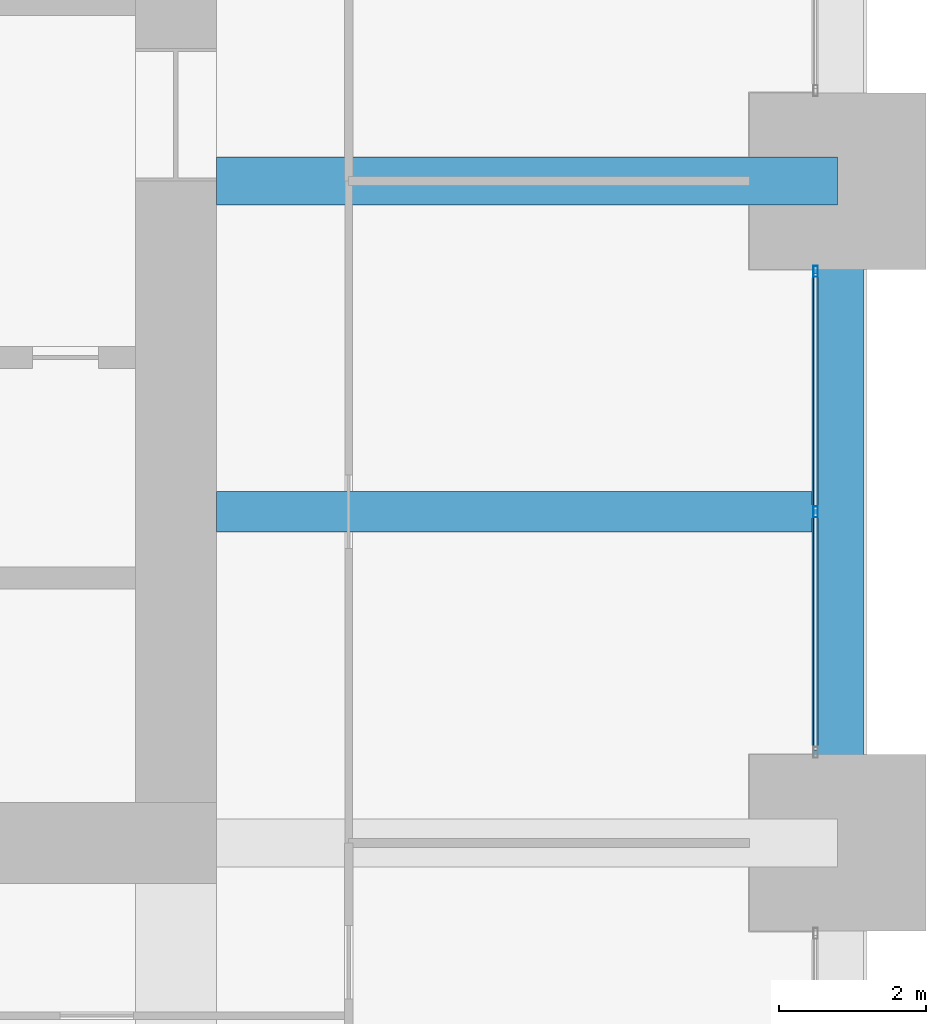
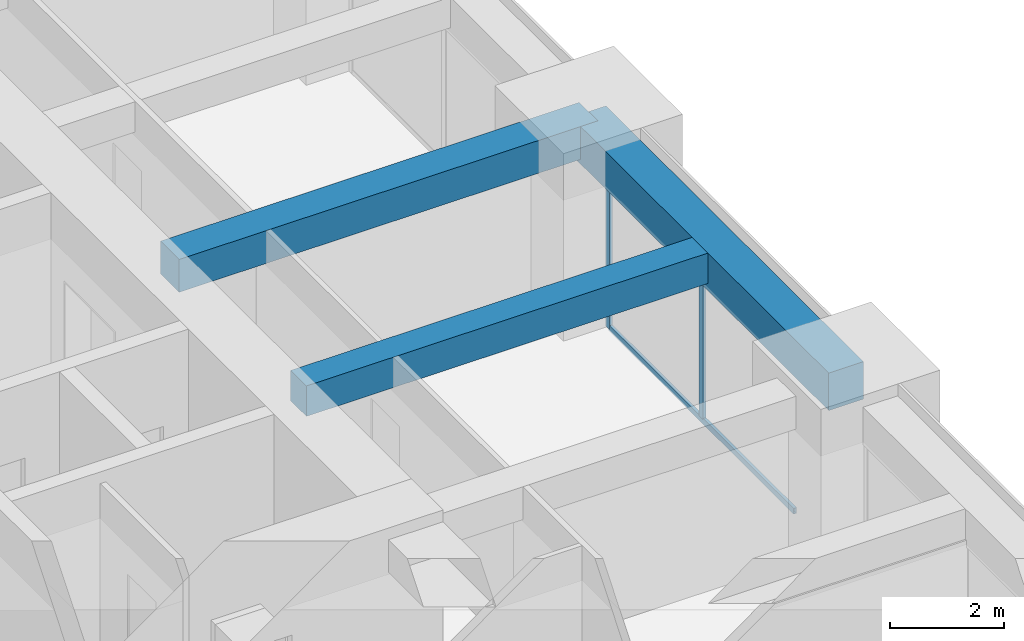
# One storey, part 18 of 32: 3 beams, 3 members, 1 element without a shape of its own.
"""IFC4 building model written with IfcOpenShell, lengths in metres."""

import ifcopenshell
import ifcopenshell.guid

model = None  # the IFC model being written
_history = None  # IfcOwnerHistory: only IFC2X3 demands one
_inside = {}  # id of a spatial element -> (the spatial element, [elements in it])
_under = {}  # id of a project, library or spatial element -> (it, [spatial elements below it])
_declared = {}  # id of a project -> (the project, [libraries it declares])
_typed = {}  # id of a type object -> (the type object, [elements of that type])
_made_of = {}  # id of a material, layer set ... -> (it, [elements and type objects made of it])


def new_model(schema):
    """Start an empty IFC model of exactly this schema.

    Asked for "IFC4X3", IfcOpenShell would pick the latest addendum, in which some entities
    have other attributes; the version numbers below select the first issue.
    IFC2X3 requires an IfcOwnerHistory on every rooted entity: one is made here for all.
    """
    global model, _history
    if schema == "IFC4X3":
        model = ifcopenshell.file(schema_version=(4, 3, 0, 0))
    else:
        model = ifcopenshell.file(schema=schema)
    _inside.clear()
    _under.clear()
    _declared.clear()
    _typed.clear()
    _made_of.clear()
    _history = None
    if model.schema == "IFC2X3":
        org = make("IfcOrganization", Name="unknown")
        user = make(
            "IfcPersonAndOrganization",
            ThePerson=make("IfcPerson", FamilyName="unknown"),
            TheOrganization=org,
        )
        app = make(
            "IfcApplication",
            ApplicationDeveloper=org,
            Version="unknown",
            ApplicationFullName="unknown",
            ApplicationIdentifier="unknown",
        )
        _history = make(
            "IfcOwnerHistory",
            OwningUser=user,
            OwningApplication=app,
            ChangeAction="ADDED",
            CreationDate=0,
        )
    return model


def make(cls, **values):
    """One entity of the class cls with the attributes given. An attribute that is None is left unset."""
    return model.create_entity(
        cls, **{name: value for name, value in values.items() if value is not None}
    )


def rooted(cls, **values):
    """An entity with a GlobalId (a new one), such as an element, a storey or a relation."""
    return make(cls, GlobalId=ifcopenshell.guid.new(), OwnerHistory=_history, **values)


def si_unit(unit_type, name, prefix=None):
    """IfcSIUnit, for example si_unit("LENGTHUNIT", "METRE", prefix="MILLI")."""
    return make("IfcSIUnit", UnitType=unit_type, Prefix=prefix, Name=name)


def assignment(units):
    """IfcUnitAssignment: the units of a project."""
    return None if units is None else make("IfcUnitAssignment", Units=units)


def point(xyz):
    """IfcCartesianPoint."""
    return None if xyz is None else make("IfcCartesianPoint", Coordinates=xyz)


def direction(xyz):
    """IfcDirection."""
    return None if xyz is None else make("IfcDirection", DirectionRatios=xyz)


def frame(location, z_axis=None, x_axis=None):
    """IfcAxis2Placement3D, a coordinate frame: its origin and axes. An axis left out is left unset."""
    return make(
        "IfcAxis2Placement3D",
        Location=point(location),
        Axis=direction(z_axis),
        RefDirection=direction(x_axis),
    )


def frame_2d(location, x_axis=None):
    """IfcAxis2Placement2D, a coordinate frame in the plane: its origin and x axis."""
    return make(
        "IfcAxis2Placement2D", Location=point(location), RefDirection=direction(x_axis)
    )


def origin():
    """The frame at (0, 0, 0) with its axes left unset."""
    return frame((0.0, 0.0, 0.0))


def origin_2d():
    """The frame at (0, 0) in the plane with its x axis left unset."""
    return frame_2d((0.0, 0.0))


def place(relative_to, where):
    """IfcLocalPlacement: puts the frame where relative to a parent placement (None: the world)."""
    return make(
        "IfcLocalPlacement", PlacementRelTo=relative_to, RelativePlacement=where
    )


def context(
    kind, dimensions, precision=None, world=None, true_north=None, identifier=None
):
    """IfcGeometricRepresentationContext, for example the 3D "Model" context."""
    return make(
        "IfcGeometricRepresentationContext",
        ContextIdentifier=identifier,
        ContextType=kind,
        CoordinateSpaceDimension=dimensions,
        Precision=precision,
        WorldCoordinateSystem=world,
        TrueNorth=true_north,
    )


def subcontext(parent, identifier, kind, view, scale=None):
    """IfcGeometricRepresentationSubContext, for example "Body" below "Model"."""
    return make(
        "IfcGeometricRepresentationSubContext",
        ContextIdentifier=identifier,
        ContextType=kind,
        ParentContext=parent,
        TargetScale=scale,
        TargetView=view,
    )


def project(units=None, contexts=None):
    """IfcProject with its units and contexts."""
    return rooted(
        "IfcProject",
        Name="project",
        RepresentationContexts=contexts,
        UnitsInContext=assignment(units),
    )


def spatial(cls, under=None, at=None, **own):
    """A site, building, storey or space (cls), placed at a placement, below another one or the project."""
    s = rooted(cls, ObjectPlacement=at, **own)
    if under is not None:
        _under.setdefault(under.id(), (under, []))[1].append(s)
    return s


def profile(cls, at=None, kind="AREA", **sizes):
    """A parametric profile (cls). Its sizes go by their IFC names, for example OverallWidth=200.0."""
    return make(cls, ProfileType=kind, Position=at, **sizes)


def rectangle(**sizes):
    """IfcRectangleProfileDef."""
    return profile("IfcRectangleProfileDef", **sizes)


def hollow_rectangle(**sizes):
    """IfcRectangleHollowProfileDef."""
    return profile("IfcRectangleHollowProfileDef", **sizes)


def extrude(swept, where, along, depth):
    """IfcExtrudedAreaSolid: the profile swept, set in the frame where, extruded along a direction by depth."""
    return make(
        "IfcExtrudedAreaSolid",
        SweptArea=swept,
        Position=where,
        ExtrudedDirection=direction(along),
        Depth=depth,
    )


def shape(context_of_items, identifier, shape_type, items):
    """IfcShapeRepresentation: the items that make up one representation, for example the "Body"."""
    return make(
        "IfcShapeRepresentation",
        ContextOfItems=context_of_items,
        RepresentationIdentifier=identifier,
        RepresentationType=shape_type,
        Items=items,
    )


def material(Name=None, Category=None):
    """IfcMaterial."""
    return make("IfcMaterial", Name=Name, Category=Category)


def material_profile(
    of_material, cross_section, Name=None, Category=None, Priority=None
):
    """IfcMaterialProfile: a cross section and its material."""
    return make(
        "IfcMaterialProfile",
        Name=Name,
        Material=of_material,
        Profile=cross_section,
        Priority=Priority,
        Category=Category,
    )


def profile_set(profiles, Name=None, composite=None):
    """IfcMaterialProfileSet."""
    return make(
        "IfcMaterialProfileSet",
        Name=Name,
        MaterialProfiles=profiles,
        CompositeProfile=composite,
    )


def made_of(thing, what):
    """Note that an element or type object is made of a material, layer set ...; save() writes the relation."""
    if what is not None:
        _made_of.setdefault(what.id(), (what, []))[1].append(thing)
    return thing


def type_object(cls, material=None, **own):
    """A type object (cls), such as IfcWallType, which elements share."""
    return made_of(rooted(cls, **own), material)


def element(
    cls,
    number,
    at=None,
    inside=None,
    cuts=None,
    type_object=None,
    material=None,
    context=None,
    identifier="Body",
    shape_type=None,
    held_by="IfcProductDefinitionShape",
    body=None,
    shapes=None,
    **own,
):
    """One element of the class cls, such as IfcWall. Its Tag is "e" and its number.

    at: its placement. inside: the storey or other place that contains it. cuts: it is an
    opening in that element (IfcRelVoidsElement). A single representation is given by context,
    identifier, shape_type and body (its items); several are given by shapes. held_by: the class
    of the entity that holds the representations. save() writes the other relations.
    """
    e = rooted(cls, Tag="e%d" % number, ObjectPlacement=at, **own)
    if body is not None:
        shapes = [shape(context, identifier, shape_type, body)]
    if shapes is not None:
        e.Representation = make(held_by, Representations=shapes)
    if inside is not None:
        _inside.setdefault(inside.id(), (inside, []))[1].append(e)
    if cuts is not None:
        rooted(
            "IfcRelVoidsElement", RelatingBuildingElement=cuts, RelatedOpeningElement=e
        )
    if type_object is not None:
        _typed.setdefault(type_object.id(), (type_object, []))[1].append(e)
    return made_of(e, material)


def aggregate(whole, parts):
    """IfcRelAggregates: a whole, such as a stair, and the parts it consists of."""
    return rooted("IfcRelAggregates", RelatingObject=whole, RelatedObjects=parts)


def save(model, path):
    """Write the relations noted so far, then the file.

    IfcRelAggregates (storeys below a building ...), IfcRelContainedInSpatialStructure (elements
    in a storey), IfcRelDefinesByType, IfcRelAssociatesMaterial and IfcRelDeclares: one each for
    every whole, place, type object, material and project.
    """
    for whole, parts in _under.values():
        aggregate(whole, parts)
    for where, things in _inside.values():
        rooted(
            "IfcRelContainedInSpatialStructure",
            RelatedElements=things,
            RelatingStructure=where,
        )
    for kind, things in _typed.values():
        rooted("IfcRelDefinesByType", RelatedObjects=things, RelatingType=kind)
    for what, things in _made_of.values():
        rooted("IfcRelAssociatesMaterial", RelatedObjects=things, RelatingMaterial=what)
    for by, libraries in _declared.values():
        rooted("IfcRelDeclares", RelatingContext=by, RelatedDefinitions=libraries)
    model.write(path)


model = new_model("IFC4")

# Units and contexts
model_context = context("Model", 3, precision=1e-05, world=origin(), true_north=direction((0.0, 1.0)))
body_context = subcontext(model_context, "Body", "Model", "MODEL_VIEW")
ifc_project = project(units=[si_unit("LENGTHUNIT", "METRE"), si_unit("AREAUNIT", "SQUARE_METRE"), si_unit("VOLUMEUNIT", "CUBIC_METRE"), si_unit("PLANEANGLEUNIT", "RADIAN"), si_unit("MASSUNIT", "GRAM", prefix="KILO")], contexts=[model_context])

# Site, building, storey
site_placement = place(None, origin())
site = spatial("IfcSite", under=ifc_project, at=site_placement, CompositionType="ELEMENT")
building_placement = place(site_placement, origin())
building = spatial("IfcBuilding", under=site, at=building_placement, Name="Zorevar Civic Tower", CompositionType="ELEMENT")
storey_placement = place(building_placement, frame((0.0, 0.0, 202.199951171875)))
storey = spatial("IfcBuildingStorey", under=building, at=storey_placement, Name="L49", CompositionType="ELEMENT", Elevation=202.199951171875)

# Beams
ifc_material_1 = material(Name="Concrete C50/60", Category="concrete")
ifc_material_profile_1 = material_profile(ifc_material_1, rectangle(XDim=0.550048828125, YDim=0.64990234375, at=origin_2d()), Name="RC 550x650")
ifc_profile_set_1 = profile_set([ifc_material_profile_1], Name="Concrete C50/60")
beam_type_1 = type_object("IfcBeamType", Name="Beam RC 550x650", PredefinedType="BEAM", material=ifc_profile_set_1)
beam_1_placement = place(storey_placement, frame((45.550048828125, 22.5, 3.425048828125), z_axis=(1.0, 0.0, 0.0), x_axis=(0.0, 1.0, 0.0)))
element("IfcBeam", 1, at=beam_1_placement, inside=storey, type_object=beam_type_1, Name="Secondary beam L50", PredefinedType="BEAM", context=body_context, shape_type="SweptSolid", body=[
    extrude(rectangle(XDim=0.550048828125, YDim=0.64990234375, at=origin_2d()), origin(), (0.0, 0.0, 1.0), 8.099853515625),
])
ifc_material_2 = material(Name="Concrete C50/60", Category="concrete")
ifc_material_profile_2 = material_profile(ifc_material_2, rectangle(XDim=0.64990234375, YDim=0.699951171875, at=origin_2d()), Name="RC 650x700")
ifc_profile_set_2 = profile_set([ifc_material_profile_2], Name="Concrete C50/60")
beam_type_2 = type_object("IfcBeamType", Name="Beam RC 650x700", PredefinedType="BEAM", material=ifc_profile_set_2)
beam_2_placement = place(storey_placement, frame((45.550048828125, 27.0, 3.400146484375), z_axis=(1.0, 0.0, 0.0), x_axis=(0.0, 1.0, 0.0)))
element("IfcBeam", 2, at=beam_2_placement, inside=storey, type_object=beam_type_2, Name="Girder L50", PredefinedType="BEAM", context=body_context, shape_type="SweptSolid", body=[
    extrude(rectangle(XDim=0.64990234375, YDim=0.699951171875, at=origin_2d()), origin(), (0.0, 0.0, 1.0), 8.449951171875),
])

# Curtain wall, members
ifc_material_3 = material(Name="Dark grey solar-control glass in black aluminium frame", Category="aluminium")
curtain_wall_type = type_object("IfcCurtainWallType", Name="Curtain wall CW4 high zone", PredefinedType="NOTDEFINED", material=ifc_material_3)
curtain_wall_placement = place(storey_placement, origin())
curtain_wall = element("IfcCurtainWall", 3, at=curtain_wall_placement, inside=storey, type_object=curtain_wall_type, Name="CW4 L49", PredefinedType="NOTDEFINED")
ifc_material_4 = material(Name="Aluminium, black anodised", Category="aluminium")
ifc_material_profile_3 = material_profile(ifc_material_4, hollow_rectangle(XDim=0.06005859375, YDim=0.14990234375, WallThickness=0.00390625, at=origin_2d()), Name="AL 150x60x4")
ifc_profile_set_3 = profile_set([ifc_material_profile_3], Name="Aluminium, black anodised")
member_type_1 = type_object("IfcMemberType", Name="CW4 mullion AL 150x60x4", PredefinedType="MULLION", material=ifc_profile_set_3)
member_1_placement = place(storey_placement, frame((53.699951171875, 22.5, 0.06005859375), z_axis=(0.0, 0.0, 1.0), x_axis=(-1.0, 0.0, 0.0)))
member_1 = element("IfcMember", 4, at=member_1_placement, type_object=member_type_1, Name="CW4 mullion 2", PredefinedType="MULLION", context=body_context, shape_type="SweptSolid", body=[
    extrude(hollow_rectangle(XDim=0.06005859375, YDim=0.14990234375, WallThickness=0.00390625, at=origin_2d()), origin(), (0.0, 0.0, 1.0), 2.889892578125),
])
member_2_placement = place(storey_placement, frame((53.699951171875, 25.77001953125, 0.0), z_axis=(0.0, 0.0, 1.0), x_axis=(-1.0, 0.0, 0.0)))
member_2 = element("IfcMember", 5, at=member_2_placement, type_object=member_type_1, Name="CW4 mullion 3", PredefinedType="MULLION", context=body_context, shape_type="SweptSolid", body=[
    extrude(hollow_rectangle(XDim=0.06005859375, YDim=0.14990234375, WallThickness=0.00390625, at=origin_2d()), origin(), (0.0, 0.0, 1.0), 2.949951171875),
])
ifc_material_5 = material(Name="Aluminium, black anodised", Category="aluminium")
ifc_material_profile_4 = material_profile(ifc_material_5, hollow_rectangle(XDim=0.06005859375, YDim=0.1201171875, WallThickness=0.0029296875, at=origin_2d()), Name="AL 120x60x3")
ifc_profile_set_4 = profile_set([ifc_material_profile_4], Name="Aluminium, black anodised")
member_type_2 = type_object("IfcMemberType", Name="CW4 transom AL 120x60x3", PredefinedType="USERDEFINED", material=ifc_profile_set_4)
member_3_placement = place(storey_placement, frame((53.699951171875, 19.260009765625, 0.030029296875), z_axis=(0.0, 1.0, 0.0), x_axis=(-1.0, 0.0, 0.0)))
member_3 = element("IfcMember", 6, at=member_3_placement, type_object=member_type_2, Name="CW4 sill transom", ObjectType="TRANSOM", PredefinedType="USERDEFINED", context=body_context, shape_type="SweptSolid", body=[
    extrude(hollow_rectangle(XDim=0.06005859375, YDim=0.1201171875, WallThickness=0.0029296875, at=origin_2d()), origin(), (0.0, 0.0, 1.0), 6.47998046875),
])
aggregate(curtain_wall, [member_1, member_2, member_3])

# Beam
ifc_material_6 = material(Name="Concrete C50/60", Category="concrete")
ifc_material_profile_5 = material_profile(ifc_material_6, rectangle(XDim=0.699951171875, YDim=0.800048828125, at=origin_2d()), Name="RC 700x800")
ifc_profile_set_5 = profile_set([ifc_material_profile_5], Name="Concrete C50/60")
beam_type_3 = type_object("IfcBeamType", Name="Edge beam RC 700x800", PredefinedType="SPANDREL", material=ifc_profile_set_5)
beam_3_placement = place(storey_placement, frame((54.0, 18.0, 3.35009765625), z_axis=(0.0, 1.0, 0.0), x_axis=(-1.0, 0.0, 0.0)))
element("IfcBeam", 7, at=beam_3_placement, inside=storey, type_object=beam_type_3, Name="Edge beam L50", PredefinedType="SPANDREL", context=body_context, shape_type="SweptSolid", body=[
    extrude(rectangle(XDim=0.699951171875, YDim=0.800048828125, at=origin_2d()), origin(), (0.0, 0.0, 1.0), 9.0),
])

save(model, "model.ifc")
